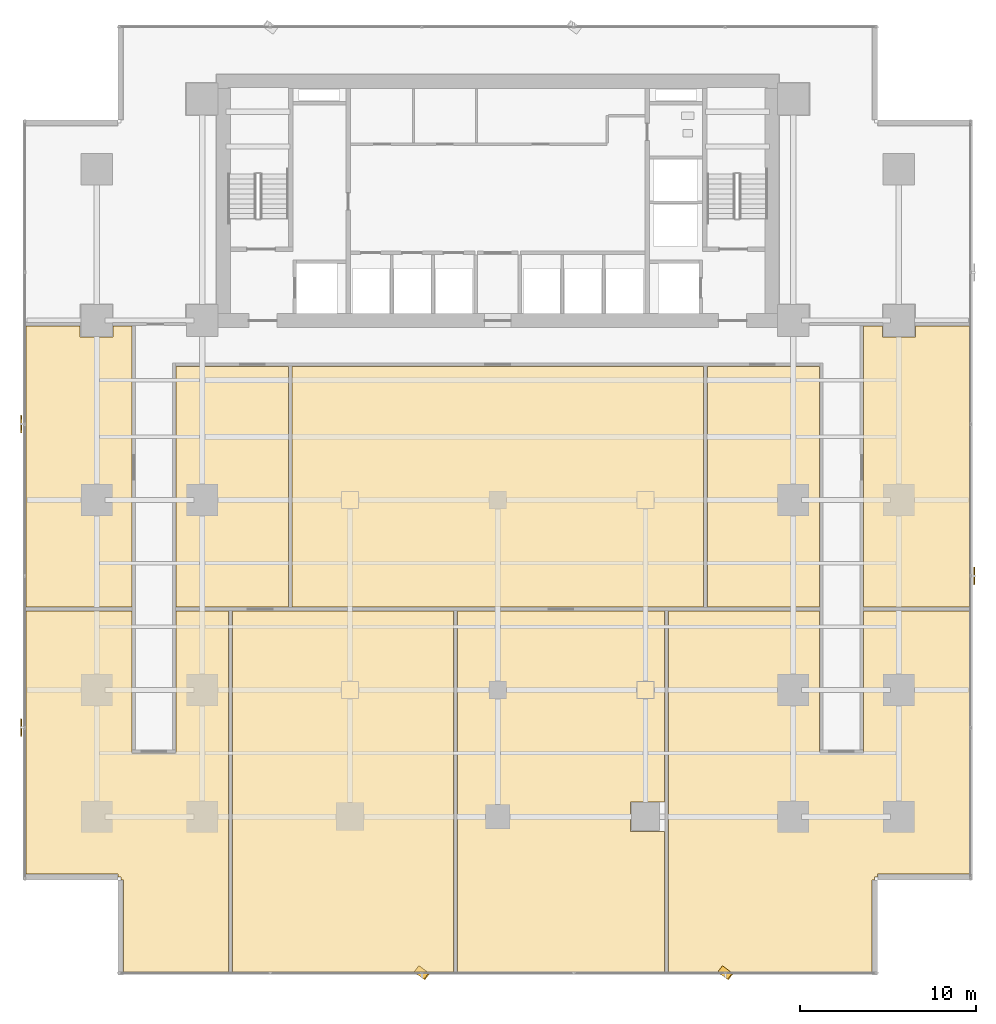
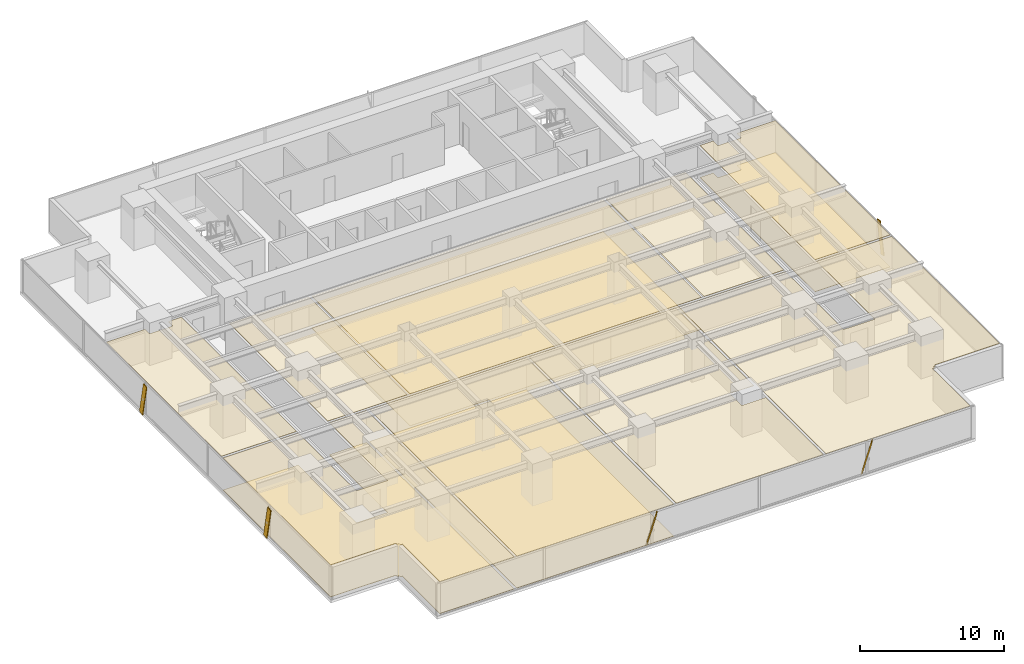
# One storey, part 29 of 33: 13 coverings, 5 shading devices.
"""IFC4 building model written with IfcOpenShell, lengths in metres."""

from ifc_helpers import new_model, si_unit, direction, frame, origin, origin_2d, place, context, subcontext, project, spatial, polyline, rectangle, outline, extrude, source, transform, mapped, material, layer, layer_set, material_profile, profile_set, type_object, element, save


model = new_model("IFC4")

# Units and contexts
model_context = context("Model", 3, precision=1e-05, world=origin(), true_north=direction((0.0, 1.0)))
body_context = subcontext(model_context, "Body", "Model", "MODEL_VIEW")
ifc_project = project(units=[si_unit("LENGTHUNIT", "METRE"), si_unit("AREAUNIT", "SQUARE_METRE"), si_unit("VOLUMEUNIT", "CUBIC_METRE"), si_unit("PLANEANGLEUNIT", "RADIAN"), si_unit("MASSUNIT", "GRAM", prefix="KILO")], contexts=[model_context])

# Site, building, storey
site_placement = place(None, origin())
site = spatial("IfcSite", under=ifc_project, at=site_placement, CompositionType="ELEMENT")
building_placement = place(site_placement, origin())
building = spatial("IfcBuilding", under=site, at=building_placement, Name="Sumidabori Civic Tower", CompositionType="ELEMENT")
storey_placement = place(building_placement, frame((0.0, 0.0, 63.199951171875)))
storey = spatial("IfcBuildingStorey", under=building, at=storey_placement, Name="L16", CompositionType="ELEMENT", Elevation=63.199951171875)

# Coverings
ifc_material_1 = material(Name="Acoustic Mineral Gypsum Ceiling Tile")
ifc_layer_1 = layer(ifc_material_1, 0.034912109375, Name="Acoustic Mineral Gypsum Ceiling Tile")
ifc_layer_set_1 = layer_set([ifc_layer_1], Name="Acoustic Mineral Gypsum Ceiling Tile")
covering_type_1 = type_object("IfcCoveringType", Name="CV-CEIL-AC1", PredefinedType="CEILING", material=ifc_layer_set_1)
covering_1_placement = place(storey_placement, frame((0.0, 0.0, 2.7099609375)))
element("IfcCovering", 1, at=covering_1_placement, inside=storey, type_object=covering_type_1, Name="Room Acoustic Ceiling L16-02", PredefinedType="CEILING", context=body_context, shape_type="SweptSolid", body=[
    extrude(outline(polyline([(-26.830078125, -6.090087890625), (-26.830078125, 9.889892578125), (-23.739990234375, 9.889892578125), (-23.739990234375, 9.260009765625), (-21.860107421875, 9.260009765625), (-21.860107421875, 9.889892578125), (-20.800048828125, 9.889892578125), (-20.800048828125, -6.090087890625), (-26.830078125, -6.090087890625)])), origin(), (0.0, 0.0, 1.0), 0.03515625),
])
covering_2_placement = place(storey_placement, frame((0.0, 0.0, 2.7099609375)))
element("IfcCovering", 2, at=covering_2_placement, inside=storey, type_object=covering_type_1, Name="Room Acoustic Ceiling L16-03", PredefinedType="CEILING", context=body_context, shape_type="SweptSolid", body=[
    extrude(outline(polyline([(20.800048828125, 9.889892578125), (21.860107421875, 9.889892578125), (21.860107421875, 9.260009765625), (23.739990234375, 9.260009765625), (23.739990234375, 9.889892578125), (26.830078125, 9.889892578125), (26.830078125, -6.090087890625), (20.800048828125, -6.090087890625), (20.800048828125, 9.889892578125)])), origin(), (0.0, 0.0, 1.0), 0.03515625),
])
covering_3_placement = place(storey_placement, frame((0.0, 0.0, 2.7099609375)))
element("IfcCovering", 3, at=covering_3_placement, inside=storey, type_object=covering_type_1, Name="Room Acoustic Ceiling L16-04", PredefinedType="CEILING", context=body_context, shape_type="SweptSolid", body=[
    extrude(outline(polyline([(-18.300048828125, 7.60009765625), (-11.909912109375, 7.60009765625), (-11.909912109375, -6.090087890625), (-18.300048828125, -6.090087890625), (-18.300048828125, 7.60009765625)])), origin(), (0.0, 0.0, 1.0), 0.03515625),
])
covering_4_placement = place(storey_placement, frame((0.0, 0.0, 2.7099609375)))
element("IfcCovering", 4, at=covering_4_placement, inside=storey, type_object=covering_type_1, Name="Room Acoustic Ceiling L16-05", PredefinedType="CEILING", context=body_context, shape_type="SweptSolid", body=[
    extrude(outline(polyline([(-11.68994140625, 7.60009765625), (11.68994140625, 7.60009765625), (11.68994140625, -6.090087890625), (-11.68994140625, -6.090087890625), (-11.68994140625, 7.60009765625)])), origin(), (0.0, 0.0, 1.0), 0.03515625),
])
covering_5_placement = place(storey_placement, frame((0.0, 0.0, 2.7099609375)))
element("IfcCovering", 5, at=covering_5_placement, inside=storey, type_object=covering_type_1, Name="Room Acoustic Ceiling L16-06", PredefinedType="CEILING", context=body_context, shape_type="SweptSolid", body=[
    extrude(outline(polyline([(11.909912109375, 7.60009765625), (18.300048828125, 7.60009765625), (18.300048828125, -6.090087890625), (11.909912109375, -6.090087890625), (11.909912109375, 7.60009765625)])), origin(), (0.0, 0.0, 1.0), 0.03515625),
])
covering_6_placement = place(storey_placement, frame((0.0, 0.0, 2.7099609375)))
element("IfcCovering", 6, at=covering_6_placement, inside=storey, type_object=covering_type_1, Name="Room Acoustic Ceiling L16-07", PredefinedType="CEILING", context=body_context, shape_type="SweptSolid", body=[
    extrude(outline(polyline([(-26.830078125, -21.27197265625), (-26.830078125, -6.31005859375), (-20.800048828125, -6.31005859375), (-20.800048828125, -14.39990234375), (-18.300048828125, -14.39990234375), (-18.300048828125, -6.31005859375), (-15.31005859375, -6.31005859375), (-15.31005859375, -26.830078125), (-21.27197265625, -26.830078125), (-21.27197265625, -21.592041015625), (-21.429931640625, -21.592041015625), (-21.429931640625, -21.429931640625), (-21.592041015625, -21.429931640625), (-21.592041015625, -21.27197265625), (-26.830078125, -21.27197265625)])), origin(), (0.0, 0.0, 1.0), 0.03515625),
])
covering_7_placement = place(storey_placement, frame((0.0, 0.0, 2.7099609375)))
element("IfcCovering", 7, at=covering_7_placement, inside=storey, type_object=covering_type_1, Name="Room Acoustic Ceiling L16-08", PredefinedType="CEILING", context=body_context, shape_type="SweptSolid", body=[
    extrude(outline(polyline([(18.300048828125, -14.39990234375), (20.800048828125, -14.39990234375), (20.800048828125, -6.31005859375), (26.830078125, -6.31005859375), (26.830078125, -21.27197265625), (21.592041015625, -21.27197265625), (21.592041015625, -21.429931640625), (21.429931640625, -21.429931640625), (21.429931640625, -21.592041015625), (21.27197265625, -21.592041015625), (21.27197265625, -26.830078125), (9.7099609375, -26.830078125), (9.7099609375, -6.31005859375), (18.300048828125, -6.31005859375), (18.300048828125, -14.39990234375)])), origin(), (0.0, 0.0, 1.0), 0.03515625),
])
covering_8_placement = place(storey_placement, frame((0.0, 0.0, 2.7099609375)))
element("IfcCovering", 8, at=covering_8_placement, inside=storey, type_object=covering_type_1, Name="Room Acoustic Ceiling L16-09", PredefinedType="CEILING", context=body_context, shape_type="SweptSolid", body=[
    extrude(outline(polyline([(-2.510009765625, -26.830078125), (-15.090087890625, -26.830078125), (-15.090087890625, -6.31005859375), (-2.510009765625, -6.31005859375), (-2.510009765625, -26.830078125)])), origin(), (0.0, 0.0, 1.0), 0.03515625),
])
covering_9_placement = place(storey_placement, frame((0.0, 0.0, 2.7099609375)))
element("IfcCovering", 9, at=covering_9_placement, inside=storey, type_object=covering_type_1, Name="Room Acoustic Ceiling L16-10", PredefinedType="CEILING", context=body_context, shape_type="SweptSolid", body=[
    extrude(outline(polyline([(9.489990234375, -17.159912109375), (7.56005859375, -17.159912109375), (7.56005859375, -18.840087890625), (9.489990234375, -18.840087890625), (9.489990234375, -26.830078125), (-2.2900390625, -26.830078125), (-2.2900390625, -6.31005859375), (9.489990234375, -6.31005859375), (9.489990234375, -17.159912109375)])), origin(), (0.0, 0.0, 1.0), 0.03515625),
])
ifc_material_2 = material(Name="Honed Terrazzo Tile Flooring")
ifc_layer_2 = layer(ifc_material_2, 0.030029296875, Name="Honed Terrazzo Tile Flooring")
ifc_layer_set_2 = layer_set([ifc_layer_2], Name="Honed Terrazzo Tile Flooring")
covering_type_2 = type_object("IfcCoveringType", Name="CV-FLR-TER", PredefinedType="FLOORING", material=ifc_layer_set_2)
covering_10_placement = place(storey_placement, origin())
element("IfcCovering", 10, at=covering_10_placement, inside=storey, type_object=covering_type_2, Name="Room Terrazzo Floor L16-03", PredefinedType="FLOORING", context=body_context, shape_type="SweptSolid", body=[
    extrude(outline(polyline([(20.800048828125, 9.889892578125), (21.860107421875, 9.889892578125), (21.860107421875, 9.260009765625), (23.739990234375, 9.260009765625), (23.739990234375, 9.889892578125), (26.830078125, 9.889892578125), (26.830078125, -6.090087890625), (20.800048828125, -6.090087890625), (20.800048828125, 9.889892578125)])), origin(), (0.0, 0.0, 1.0), 0.030029296875),
])
covering_11_placement = place(storey_placement, origin())
element("IfcCovering", 11, at=covering_11_placement, inside=storey, type_object=covering_type_2, Name="Room Terrazzo Floor L16-05", PredefinedType="FLOORING", context=body_context, shape_type="SweptSolid", body=[
    extrude(outline(polyline([(-11.68994140625, 7.60009765625), (11.68994140625, 7.60009765625), (11.68994140625, -6.090087890625), (-11.68994140625, -6.090087890625), (-11.68994140625, 7.60009765625)])), origin(), (0.0, 0.0, 1.0), 0.030029296875),
])
covering_12_placement = place(storey_placement, origin())
element("IfcCovering", 12, at=covering_12_placement, inside=storey, type_object=covering_type_2, Name="Room Terrazzo Floor L16-07", PredefinedType="FLOORING", context=body_context, shape_type="SweptSolid", body=[
    extrude(outline(polyline([(-26.830078125, -21.27197265625), (-26.830078125, -6.31005859375), (-20.800048828125, -6.31005859375), (-20.800048828125, -14.39990234375), (-18.300048828125, -14.39990234375), (-18.300048828125, -6.31005859375), (-15.31005859375, -6.31005859375), (-15.31005859375, -26.830078125), (-21.27197265625, -26.830078125), (-21.27197265625, -21.592041015625), (-21.429931640625, -21.592041015625), (-21.429931640625, -21.429931640625), (-21.592041015625, -21.429931640625), (-21.592041015625, -21.27197265625), (-26.830078125, -21.27197265625)])), origin(), (0.0, 0.0, 1.0), 0.030029296875),
])
covering_13_placement = place(storey_placement, origin())
element("IfcCovering", 13, at=covering_13_placement, inside=storey, type_object=covering_type_2, Name="Room Terrazzo Floor L16-09", PredefinedType="FLOORING", context=body_context, shape_type="SweptSolid", body=[
    extrude(outline(polyline([(-2.510009765625, -26.830078125), (-15.090087890625, -26.830078125), (-15.090087890625, -6.31005859375), (-2.510009765625, -6.31005859375), (-2.510009765625, -26.830078125)])), origin(), (0.0, 0.0, 1.0), 0.030029296875),
])

# Shading devices
ifc_material_3 = material(Name="Anodised Bronze Aluminium AW-6063-T6", Category="aluminium")
ifc_material_profile = material_profile(ifc_material_3, rectangle(XDim=0.06005859375, YDim=0.449951171875, at=origin_2d()), Name="BRONZE FIN 450x60")
ifc_profile_set = profile_set([ifc_material_profile], Name="Anodised Bronze Aluminium AW-6063-T6")
shading_device_type = type_object("IfcShadingDeviceType", Name="SH-FIN-450", PredefinedType="USERDEFINED", material=ifc_profile_set)
shared_shape_1 = source(origin(), body_context, "Body", "SweptSolid", [
    extrude(rectangle(XDim=0.06005859375, YDim=0.449951171875, at=origin_2d()), origin(), (0.0, 0.0, 1.0), 2.769775390625),
])
for number, where, z_axis, x_axis, name in (
    (14, (-4.593994140625, -26.669921875, 0.02001953125), (0.202195931323, -0.151691019096, 0.967526041035), (0.773939855131, -0.580623579198, -0.252771358975), "Bronze Anodised Diagonal Fin L16-02"),
    (15, (12.662109375, -26.669921875, 0.02001953125), (0.20211139135, -0.151693721986, 0.967543280787), (0.773832092044, -0.580795913828, -0.252705361643), "Bronze Anodised Diagonal Fin L16-04"),
):
    element("IfcShadingDevice", number, at=place(storey_placement, frame(where, z_axis=z_axis, x_axis=x_axis)), inside=storey, type_object=shading_device_type, Name=name, ObjectType="FIN", PredefinedType="USERDEFINED", context=body_context, shape_type="MappedRepresentation", body=[
        mapped(shared_shape_1, transform((0.0, 0.0, 0.0), x_axis=(1.0, 0.0, 0.0), y_axis=(0.0, 1.0, 0.0), z_axis=(0.0, 0.0, 1.0), scale=1.0)),
    ])
shared_shape_2 = source(origin(), body_context, "Body", "SweptSolid", [
    extrude(rectangle(XDim=0.06005859375, YDim=0.449951171875, at=origin_2d()), origin(), (0.0, 0.0, 1.0), 2.73779296875),
])
for number, where, z_axis, x_axis, name in (
    (16, (27.090087890625, -4.593994140625, 0.02001953125), (0.0, 0.204563143937, 0.978853370093), (-1.0, 0.0, 0.0), "Bronze Anodised Diagonal Fin L16-02"),
    (17, (-27.090087890625, 4.593994140625, 0.02001953125), (0.0, -0.204563143937, 0.978853370093), (-1.0, 0.0, 0.0), "Bronze Anodised Diagonal Fin L16-02"),
    (18, (-27.090087890625, -12.662109375, 0.02001953125), (0.0, -0.204477700022, 0.978871222477), (-1.0, 0.0, 0.0), "Bronze Anodised Diagonal Fin L16-04"),
):
    element("IfcShadingDevice", number, at=place(storey_placement, frame(where, z_axis=z_axis, x_axis=x_axis)), inside=storey, type_object=shading_device_type, Name=name, ObjectType="FIN", PredefinedType="USERDEFINED", context=body_context, shape_type="MappedRepresentation", body=[
        mapped(shared_shape_2, transform((0.0, 0.0, 0.0), x_axis=(1.0, 0.0, 0.0), y_axis=(0.0, 1.0, 0.0), z_axis=(0.0, 0.0, 1.0), scale=1.0)),
    ])

save(model, "model.ifc")
